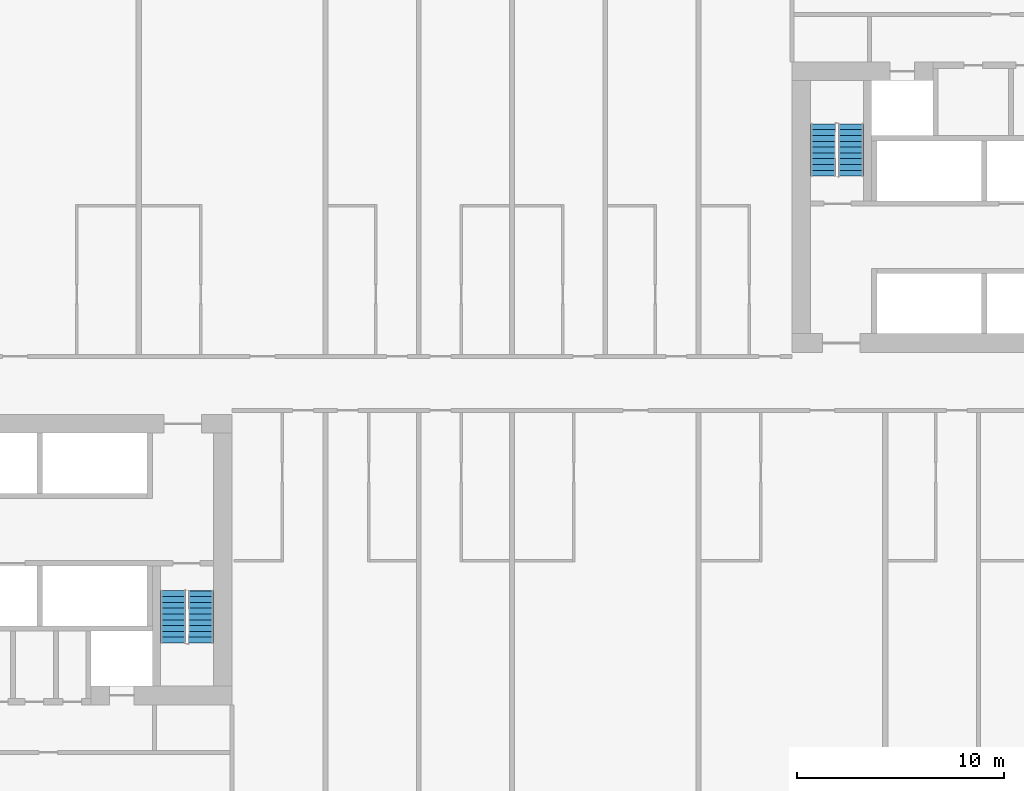
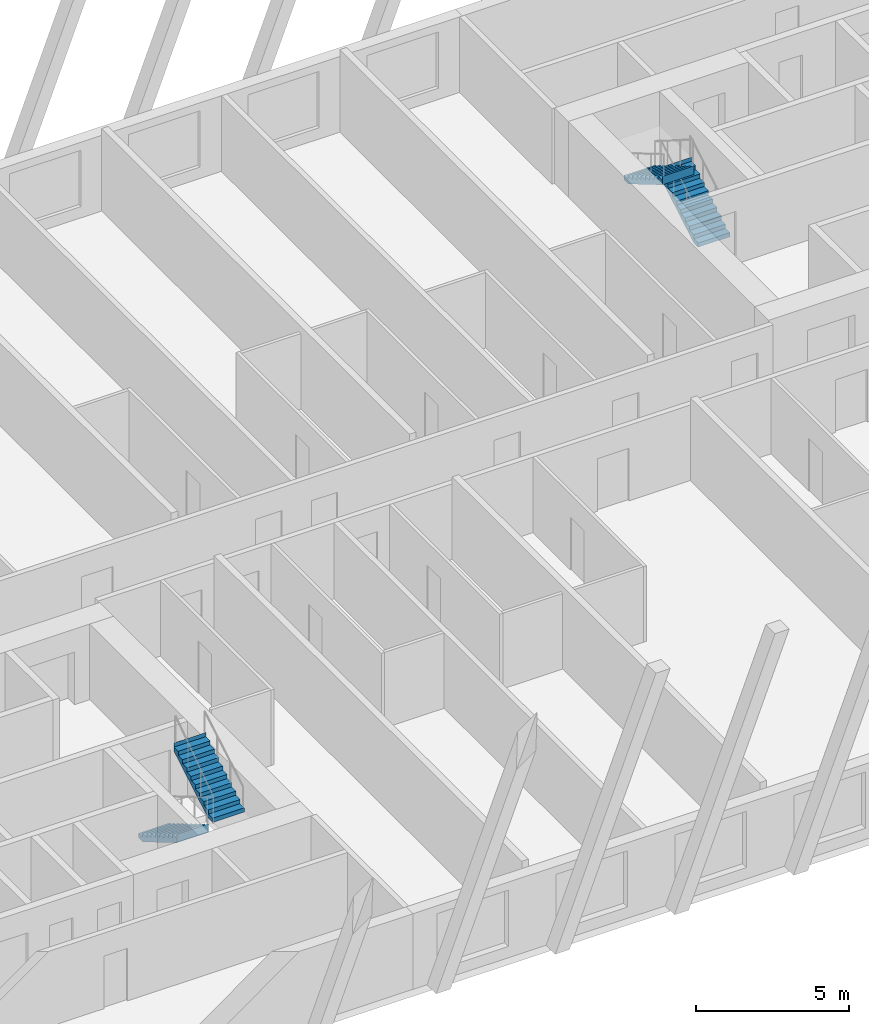
# One storey, part 10 of 13: 4 stair flights, 2 elements without a shape of their own.
"""IFC4 building model written with IfcOpenShell, lengths in metres."""

from ifc_helpers import new_model, si_unit, direction, frame, origin, place, context, subcontext, project, spatial, faceted_brep, material, type_object, element, aggregate, save


model = new_model("IFC4")

# Units and contexts
model_context = context("Model", 3, precision=1e-05, world=origin(), true_north=direction((0.0, 1.0)))
body_context = subcontext(model_context, "Body", "Model", "MODEL_VIEW")
ifc_project = project(units=[si_unit("LENGTHUNIT", "METRE"), si_unit("AREAUNIT", "SQUARE_METRE"), si_unit("VOLUMEUNIT", "CUBIC_METRE"), si_unit("PLANEANGLEUNIT", "RADIAN"), si_unit("MASSUNIT", "GRAM", prefix="KILO")], contexts=[model_context])

# Site, building, storey
site_placement = place(None, origin())
site = spatial("IfcSite", under=ifc_project, at=site_placement, CompositionType="ELEMENT")
building_placement = place(site_placement, origin())
building = spatial("IfcBuilding", under=site, at=building_placement, Name="Kajstack Hotel Tower", CompositionType="ELEMENT")
storey_placement = place(building_placement, frame((0.0, 0.0, 69.89990234375)))
storey = spatial("IfcBuildingStorey", under=building, at=storey_placement, Name="L12", CompositionType="ELEMENT", Elevation=69.89990234375)

# Stair, stair flights
ifc_material = material(Name="Concrete C40/50", Category="concrete")
stair_type = type_object("IfcStairType", Name="Exit stair 1200", PredefinedType="HALF_TURN_STAIR", material=ifc_material)
stair_1_placement = place(storey_placement, origin())
stair_1 = element("IfcStair", 1, at=stair_1_placement, inside=storey, type_object=stair_type, Name="L12 stair W2", PredefinedType="HALF_TURN_STAIR")
stair_flight_type = type_object("IfcStairFlightType", Name="Exit stair flight 1200", PredefinedType="STRAIGHT", material=ifc_material)
stair_flight_1_placement = place(storey_placement, frame((-16.35009765625, -10.0, 0.0), z_axis=(0.0, 0.0, 1.0), x_axis=(0.0, -1.0, 0.0)))
stair_flight_1 = element("IfcStairFlight", 2, at=stair_flight_1_placement, type_object=stair_flight_type, Name="W2 flight 1", NumberOfRisers=10, NumberOfTreads=9, PredefinedType="STRAIGHT", RiserHeight=0.165, TreadLength=0.28, context=body_context, shape_type="Brep", body=[
    faceted_brep([(0.295654296875, -0.60009765625, 0.0), (2.5205078125, -0.60009765625, 1.31103515625), (2.5205078125, -0.60009765625, 1.64990234375), (2.52001953125, -0.60009765625, 1.64990234375), (2.52001953125, -0.60009765625, 1.485107421875), (2.239990234375, -0.60009765625, 1.485107421875), (2.239990234375, -0.60009765625, 1.320068359375), (1.9599609375, -0.60009765625, 1.320068359375), (1.9599609375, -0.60009765625, 1.155029296875), (1.679931640625, -0.60009765625, 1.155029296875), (1.679931640625, -0.60009765625, 0.989990234375), (1.39990234375, -0.60009765625, 0.989990234375), (1.39990234375, -0.60009765625, 0.824951171875), (1.1201171875, -0.60009765625, 0.824951171875), (1.1201171875, -0.60009765625, 0.659912109375), (0.840087890625, -0.60009765625, 0.659912109375), (0.840087890625, -0.60009765625, 0.4951171875), (0.56005859375, -0.60009765625, 0.4951171875), (0.56005859375, -0.60009765625, 0.330078125), (0.280029296875, -0.60009765625, 0.330078125), (0.280029296875, -0.60009765625, 0.1650390625), (-0.00048828125, -0.60009765625, 0.1650390625), (-0.00048828125, -0.60009765625, 0.0), (-0.00048828125, 0.60009765625, 0.0), (-0.00048828125, 0.60009765625, 0.1650390625), (0.280029296875, 0.60009765625, 0.1650390625), (0.280029296875, 0.60009765625, 0.330078125), (0.56005859375, 0.60009765625, 0.330078125), (0.56005859375, 0.60009765625, 0.4951171875), (0.840087890625, 0.60009765625, 0.4951171875), (0.840087890625, 0.60009765625, 0.659912109375), (1.1201171875, 0.60009765625, 0.659912109375), (1.1201171875, 0.60009765625, 0.824951171875), (1.39990234375, 0.60009765625, 0.824951171875), (1.39990234375, 0.60009765625, 0.989990234375), (1.679931640625, 0.60009765625, 0.989990234375), (1.679931640625, 0.60009765625, 1.155029296875), (1.9599609375, 0.60009765625, 1.155029296875), (1.9599609375, 0.60009765625, 1.320068359375), (2.239990234375, 0.60009765625, 1.320068359375), (2.239990234375, 0.60009765625, 1.485107421875), (2.52001953125, 0.60009765625, 1.485107421875), (2.52001953125, 0.60009765625, 1.64990234375), (2.5205078125, 0.60009765625, 1.64990234375), (2.5205078125, 0.60009765625, 1.31103515625), (0.295654296875, 0.60009765625, 0.0), (-0.00048828125, -0.300048828125, 0.1650390625), (-0.00048828125, 0.0, 0.1650390625), (-0.00048828125, 0.300048828125, 0.1650390625), (-0.00048828125, 0.300048828125, 0.0), (-0.00048828125, 0.0, 0.0), (-0.00048828125, -0.300048828125, 0.0), (0.280029296875, -0.300048828125, 0.1650390625), (0.280029296875, 0.0, 0.1650390625), (0.280029296875, 0.300048828125, 0.1650390625), (0.280029296875, -0.300048828125, 0.330078125), (0.280029296875, 0.0, 0.330078125), (0.280029296875, 0.300048828125, 0.330078125), (0.56005859375, -0.300048828125, 0.330078125), (0.56005859375, 0.0, 0.330078125), (0.56005859375, 0.300048828125, 0.330078125), (0.56005859375, -0.300048828125, 0.4951171875), (0.56005859375, 0.0, 0.4951171875), (0.56005859375, 0.300048828125, 0.4951171875), (0.840087890625, -0.300048828125, 0.4951171875), (0.840087890625, 0.0, 0.4951171875), (0.840087890625, 0.300048828125, 0.4951171875), (0.840087890625, -0.300048828125, 0.659912109375), (0.840087890625, 0.0, 0.659912109375), (0.840087890625, 0.300048828125, 0.659912109375), (1.1201171875, -0.300048828125, 0.659912109375), (1.1201171875, 0.0, 0.659912109375), (1.1201171875, 0.300048828125, 0.659912109375), (1.1201171875, -0.300048828125, 0.824951171875), (1.1201171875, 0.0, 0.824951171875), (1.1201171875, 0.300048828125, 0.824951171875), (1.39990234375, -0.300048828125, 0.824951171875), (1.39990234375, 0.0, 0.824951171875), (1.39990234375, 0.300048828125, 0.824951171875), (1.39990234375, -0.300048828125, 0.989990234375), (1.39990234375, 0.0, 0.989990234375), (1.39990234375, 0.300048828125, 0.989990234375), (1.679931640625, -0.300048828125, 0.989990234375), (1.679931640625, 0.0, 0.989990234375), (1.679931640625, 0.300048828125, 0.989990234375), (1.679931640625, -0.300048828125, 1.155029296875), (1.679931640625, 0.0, 1.155029296875), (1.679931640625, 0.300048828125, 1.155029296875), (1.9599609375, -0.300048828125, 1.155029296875), (1.9599609375, 0.0, 1.155029296875), (1.9599609375, 0.300048828125, 1.155029296875), (1.9599609375, -0.300048828125, 1.320068359375), (1.9599609375, 0.0, 1.320068359375), (1.9599609375, 0.300048828125, 1.320068359375), (2.239990234375, -0.300048828125, 1.320068359375), (2.239990234375, 0.0, 1.320068359375), (2.239990234375, 0.300048828125, 1.320068359375), (2.239990234375, -0.300048828125, 1.485107421875), (2.239990234375, 0.0, 1.485107421875), (2.239990234375, 0.300048828125, 1.485107421875), (2.52001953125, -0.300048828125, 1.485107421875), (2.52001953125, 0.0, 1.485107421875), (2.52001953125, 0.300048828125, 1.485107421875), (2.52001953125, -0.300048828125, 1.64990234375), (2.52001953125, 0.0, 1.64990234375), (2.52001953125, 0.300048828125, 1.64990234375), (2.5205078125, -0.300048828125, 1.64990234375), (2.5205078125, 0.0, 1.64990234375), (2.5205078125, 0.300048828125, 1.64990234375), (2.5205078125, -0.300048828125, 1.31103515625), (2.5205078125, 0.0, 1.31103515625), (2.5205078125, 0.300048828125, 1.31103515625), (0.295654296875, -0.300048828125, 0.0), (0.295654296875, 0.0, 0.0), (0.295654296875, 0.300048828125, 0.0)], [[[0, 1, 2, 3, 4, 5, 6, 7, 8, 9, 10, 11, 12, 13, 14, 15, 16, 17, 18, 19, 20, 21, 22]], [[23, 24, 25, 26, 27, 28, 29, 30, 31, 32, 33, 34, 35, 36, 37, 38, 39, 40, 41, 42, 43, 44, 45]], [[21, 46, 47, 48, 24, 23, 49, 50, 51, 22]], [[20, 52, 53, 54, 25, 24, 48, 47, 46, 21]], [[19, 55, 56, 57, 26, 25, 54, 53, 52, 20]], [[18, 58, 59, 60, 27, 26, 57, 56, 55, 19]], [[17, 61, 62, 63, 28, 27, 60, 59, 58, 18]], [[16, 64, 65, 66, 29, 28, 63, 62, 61, 17]], [[15, 67, 68, 69, 30, 29, 66, 65, 64, 16]], [[14, 70, 71, 72, 31, 30, 69, 68, 67, 15]], [[13, 73, 74, 75, 32, 31, 72, 71, 70, 14]], [[12, 76, 77, 78, 33, 32, 75, 74, 73, 13]], [[11, 79, 80, 81, 34, 33, 78, 77, 76, 12]], [[10, 82, 83, 84, 35, 34, 81, 80, 79, 11]], [[9, 85, 86, 87, 36, 35, 84, 83, 82, 10]], [[8, 88, 89, 90, 37, 36, 87, 86, 85, 9]], [[7, 91, 92, 93, 38, 37, 90, 89, 88, 8]], [[6, 94, 95, 96, 39, 38, 93, 92, 91, 7]], [[5, 97, 98, 99, 40, 39, 96, 95, 94, 6]], [[4, 100, 101, 102, 41, 40, 99, 98, 97, 5]], [[3, 103, 104, 105, 42, 41, 102, 101, 100, 4]], [[2, 106, 107, 108, 43, 42, 105, 104, 103, 3]], [[1, 109, 110, 111, 44, 43, 108, 107, 106, 2]], [[0, 112, 113, 114, 45, 44, 111, 110, 109, 1]], [[22, 51, 50, 49, 23, 45, 114, 113, 112, 0]]]),
])
stair_flight_2_placement = place(storey_placement, frame((-15.0, -12.52001953125, 1.650146484375), z_axis=(0.0, 0.0, 1.0), x_axis=(0.0, 1.0, 0.0)))
stair_flight_2 = element("IfcStairFlight", 3, at=stair_flight_2_placement, type_object=stair_flight_type, Name="W2 flight 2", NumberOfRisers=10, NumberOfTreads=9, PredefinedType="STRAIGHT", RiserHeight=0.165, TreadLength=0.28, context=body_context, shape_type="Brep", body=[
    faceted_brep([(0.295654296875, -0.60009765625, 0.0), (2.5205078125, -0.60009765625, 1.31103515625), (2.5205078125, -0.60009765625, 1.64990234375), (2.52001953125, -0.60009765625, 1.64990234375), (2.52001953125, -0.60009765625, 1.485107421875), (2.239990234375, -0.60009765625, 1.485107421875), (2.239990234375, -0.60009765625, 1.320068359375), (1.9599609375, -0.60009765625, 1.320068359375), (1.9599609375, -0.60009765625, 1.155029296875), (1.679931640625, -0.60009765625, 1.155029296875), (1.679931640625, -0.60009765625, 0.989990234375), (1.39990234375, -0.60009765625, 0.989990234375), (1.39990234375, -0.60009765625, 0.824951171875), (1.1201171875, -0.60009765625, 0.824951171875), (1.1201171875, -0.60009765625, 0.659912109375), (0.840087890625, -0.60009765625, 0.659912109375), (0.840087890625, -0.60009765625, 0.4951171875), (0.56005859375, -0.60009765625, 0.4951171875), (0.56005859375, -0.60009765625, 0.330078125), (0.280029296875, -0.60009765625, 0.330078125), (0.280029296875, -0.60009765625, 0.1650390625), (-0.00048828125, -0.60009765625, 0.1650390625), (-0.00048828125, -0.60009765625, 0.0), (-0.00048828125, 0.60009765625, 0.0), (-0.00048828125, 0.60009765625, 0.1650390625), (0.280029296875, 0.60009765625, 0.1650390625), (0.280029296875, 0.60009765625, 0.330078125), (0.56005859375, 0.60009765625, 0.330078125), (0.56005859375, 0.60009765625, 0.4951171875), (0.840087890625, 0.60009765625, 0.4951171875), (0.840087890625, 0.60009765625, 0.659912109375), (1.1201171875, 0.60009765625, 0.659912109375), (1.1201171875, 0.60009765625, 0.824951171875), (1.39990234375, 0.60009765625, 0.824951171875), (1.39990234375, 0.60009765625, 0.989990234375), (1.679931640625, 0.60009765625, 0.989990234375), (1.679931640625, 0.60009765625, 1.155029296875), (1.9599609375, 0.60009765625, 1.155029296875), (1.9599609375, 0.60009765625, 1.320068359375), (2.239990234375, 0.60009765625, 1.320068359375), (2.239990234375, 0.60009765625, 1.485107421875), (2.52001953125, 0.60009765625, 1.485107421875), (2.52001953125, 0.60009765625, 1.64990234375), (2.5205078125, 0.60009765625, 1.64990234375), (2.5205078125, 0.60009765625, 1.31103515625), (0.295654296875, 0.60009765625, 0.0), (-0.00048828125, -0.300048828125, 0.1650390625), (-0.00048828125, 0.0, 0.1650390625), (-0.00048828125, 0.300048828125, 0.1650390625), (-0.00048828125, 0.300048828125, 0.0), (-0.00048828125, 0.0, 0.0), (-0.00048828125, -0.300048828125, 0.0), (0.280029296875, -0.300048828125, 0.1650390625), (0.280029296875, 0.0, 0.1650390625), (0.280029296875, 0.300048828125, 0.1650390625), (0.280029296875, -0.300048828125, 0.330078125), (0.280029296875, 0.0, 0.330078125), (0.280029296875, 0.300048828125, 0.330078125), (0.56005859375, -0.300048828125, 0.330078125), (0.56005859375, 0.0, 0.330078125), (0.56005859375, 0.300048828125, 0.330078125), (0.56005859375, -0.300048828125, 0.4951171875), (0.56005859375, 0.0, 0.4951171875), (0.56005859375, 0.300048828125, 0.4951171875), (0.840087890625, -0.300048828125, 0.4951171875), (0.840087890625, 0.0, 0.4951171875), (0.840087890625, 0.300048828125, 0.4951171875), (0.840087890625, -0.300048828125, 0.659912109375), (0.840087890625, 0.0, 0.659912109375), (0.840087890625, 0.300048828125, 0.659912109375), (1.1201171875, -0.300048828125, 0.659912109375), (1.1201171875, 0.0, 0.659912109375), (1.1201171875, 0.300048828125, 0.659912109375), (1.1201171875, -0.300048828125, 0.824951171875), (1.1201171875, 0.0, 0.824951171875), (1.1201171875, 0.300048828125, 0.824951171875), (1.39990234375, -0.300048828125, 0.824951171875), (1.39990234375, 0.0, 0.824951171875), (1.39990234375, 0.300048828125, 0.824951171875), (1.39990234375, -0.300048828125, 0.989990234375), (1.39990234375, 0.0, 0.989990234375), (1.39990234375, 0.300048828125, 0.989990234375), (1.679931640625, -0.300048828125, 0.989990234375), (1.679931640625, 0.0, 0.989990234375), (1.679931640625, 0.300048828125, 0.989990234375), (1.679931640625, -0.300048828125, 1.155029296875), (1.679931640625, 0.0, 1.155029296875), (1.679931640625, 0.300048828125, 1.155029296875), (1.9599609375, -0.300048828125, 1.155029296875), (1.9599609375, 0.0, 1.155029296875), (1.9599609375, 0.300048828125, 1.155029296875), (1.9599609375, -0.300048828125, 1.320068359375), (1.9599609375, 0.0, 1.320068359375), (1.9599609375, 0.300048828125, 1.320068359375), (2.239990234375, -0.300048828125, 1.320068359375), (2.239990234375, 0.0, 1.320068359375), (2.239990234375, 0.300048828125, 1.320068359375), (2.239990234375, -0.300048828125, 1.485107421875), (2.239990234375, 0.0, 1.485107421875), (2.239990234375, 0.300048828125, 1.485107421875), (2.52001953125, -0.300048828125, 1.485107421875), (2.52001953125, 0.0, 1.485107421875), (2.52001953125, 0.300048828125, 1.485107421875), (2.52001953125, -0.300048828125, 1.64990234375), (2.52001953125, 0.0, 1.64990234375), (2.52001953125, 0.300048828125, 1.64990234375), (2.5205078125, -0.300048828125, 1.64990234375), (2.5205078125, 0.0, 1.64990234375), (2.5205078125, 0.300048828125, 1.64990234375), (2.5205078125, -0.300048828125, 1.31103515625), (2.5205078125, 0.0, 1.31103515625), (2.5205078125, 0.300048828125, 1.31103515625), (0.295654296875, -0.300048828125, 0.0), (0.295654296875, 0.0, 0.0), (0.295654296875, 0.300048828125, 0.0)], [[[0, 1, 2, 3, 4, 5, 6, 7, 8, 9, 10, 11, 12, 13, 14, 15, 16, 17, 18, 19, 20, 21, 22]], [[23, 24, 25, 26, 27, 28, 29, 30, 31, 32, 33, 34, 35, 36, 37, 38, 39, 40, 41, 42, 43, 44, 45]], [[21, 46, 47, 48, 24, 23, 49, 50, 51, 22]], [[20, 52, 53, 54, 25, 24, 48, 47, 46, 21]], [[19, 55, 56, 57, 26, 25, 54, 53, 52, 20]], [[18, 58, 59, 60, 27, 26, 57, 56, 55, 19]], [[17, 61, 62, 63, 28, 27, 60, 59, 58, 18]], [[16, 64, 65, 66, 29, 28, 63, 62, 61, 17]], [[15, 67, 68, 69, 30, 29, 66, 65, 64, 16]], [[14, 70, 71, 72, 31, 30, 69, 68, 67, 15]], [[13, 73, 74, 75, 32, 31, 72, 71, 70, 14]], [[12, 76, 77, 78, 33, 32, 75, 74, 73, 13]], [[11, 79, 80, 81, 34, 33, 78, 77, 76, 12]], [[10, 82, 83, 84, 35, 34, 81, 80, 79, 11]], [[9, 85, 86, 87, 36, 35, 84, 83, 82, 10]], [[8, 88, 89, 90, 37, 36, 87, 86, 85, 9]], [[7, 91, 92, 93, 38, 37, 90, 89, 88, 8]], [[6, 94, 95, 96, 39, 38, 93, 92, 91, 7]], [[5, 97, 98, 99, 40, 39, 96, 95, 94, 6]], [[4, 100, 101, 102, 41, 40, 99, 98, 97, 5]], [[3, 103, 104, 105, 42, 41, 102, 101, 100, 4]], [[2, 106, 107, 108, 43, 42, 105, 104, 103, 3]], [[1, 109, 110, 111, 44, 43, 108, 107, 106, 2]], [[0, 112, 113, 114, 45, 44, 111, 110, 109, 1]], [[22, 51, 50, 49, 23, 45, 114, 113, 112, 0]]]),
])
aggregate(stair_1, [stair_flight_1, stair_flight_2])

stair_2_placement = place(storey_placement, origin())
stair_2 = element("IfcStair", 4, at=stair_2_placement, inside=storey, type_object=stair_type, Name="L12 stair E2", PredefinedType="HALF_TURN_STAIR")
stair_flight_3_placement = place(storey_placement, frame((16.35009765625, 10.0, 0.0), z_axis=(0.0, 0.0, 1.0), x_axis=(0.0, 1.0, 0.0)))
stair_flight_3 = element("IfcStairFlight", 5, at=stair_flight_3_placement, type_object=stair_flight_type, Name="E2 flight 1", NumberOfRisers=10, NumberOfTreads=9, PredefinedType="STRAIGHT", RiserHeight=0.165, TreadLength=0.28, context=body_context, shape_type="Brep", body=[
    faceted_brep([(0.295654296875, -0.60009765625, 0.0), (2.5205078125, -0.60009765625, 1.31103515625), (2.5205078125, -0.60009765625, 1.64990234375), (2.52001953125, -0.60009765625, 1.64990234375), (2.52001953125, -0.60009765625, 1.485107421875), (2.239990234375, -0.60009765625, 1.485107421875), (2.239990234375, -0.60009765625, 1.320068359375), (1.9599609375, -0.60009765625, 1.320068359375), (1.9599609375, -0.60009765625, 1.155029296875), (1.679931640625, -0.60009765625, 1.155029296875), (1.679931640625, -0.60009765625, 0.989990234375), (1.39990234375, -0.60009765625, 0.989990234375), (1.39990234375, -0.60009765625, 0.824951171875), (1.1201171875, -0.60009765625, 0.824951171875), (1.1201171875, -0.60009765625, 0.659912109375), (0.840087890625, -0.60009765625, 0.659912109375), (0.840087890625, -0.60009765625, 0.4951171875), (0.56005859375, -0.60009765625, 0.4951171875), (0.56005859375, -0.60009765625, 0.330078125), (0.280029296875, -0.60009765625, 0.330078125), (0.280029296875, -0.60009765625, 0.1650390625), (-0.00048828125, -0.60009765625, 0.1650390625), (-0.00048828125, -0.60009765625, 0.0), (-0.00048828125, 0.60009765625, 0.0), (-0.00048828125, 0.60009765625, 0.1650390625), (0.280029296875, 0.60009765625, 0.1650390625), (0.280029296875, 0.60009765625, 0.330078125), (0.56005859375, 0.60009765625, 0.330078125), (0.56005859375, 0.60009765625, 0.4951171875), (0.840087890625, 0.60009765625, 0.4951171875), (0.840087890625, 0.60009765625, 0.659912109375), (1.1201171875, 0.60009765625, 0.659912109375), (1.1201171875, 0.60009765625, 0.824951171875), (1.39990234375, 0.60009765625, 0.824951171875), (1.39990234375, 0.60009765625, 0.989990234375), (1.679931640625, 0.60009765625, 0.989990234375), (1.679931640625, 0.60009765625, 1.155029296875), (1.9599609375, 0.60009765625, 1.155029296875), (1.9599609375, 0.60009765625, 1.320068359375), (2.239990234375, 0.60009765625, 1.320068359375), (2.239990234375, 0.60009765625, 1.485107421875), (2.52001953125, 0.60009765625, 1.485107421875), (2.52001953125, 0.60009765625, 1.64990234375), (2.5205078125, 0.60009765625, 1.64990234375), (2.5205078125, 0.60009765625, 1.31103515625), (0.295654296875, 0.60009765625, 0.0), (-0.00048828125, -0.300048828125, 0.1650390625), (-0.00048828125, 0.0, 0.1650390625), (-0.00048828125, 0.300048828125, 0.1650390625), (-0.00048828125, 0.300048828125, 0.0), (-0.00048828125, 0.0, 0.0), (-0.00048828125, -0.300048828125, 0.0), (0.280029296875, -0.300048828125, 0.1650390625), (0.280029296875, 0.0, 0.1650390625), (0.280029296875, 0.300048828125, 0.1650390625), (0.280029296875, -0.300048828125, 0.330078125), (0.280029296875, 0.0, 0.330078125), (0.280029296875, 0.300048828125, 0.330078125), (0.56005859375, -0.300048828125, 0.330078125), (0.56005859375, 0.0, 0.330078125), (0.56005859375, 0.300048828125, 0.330078125), (0.56005859375, -0.300048828125, 0.4951171875), (0.56005859375, 0.0, 0.4951171875), (0.56005859375, 0.300048828125, 0.4951171875), (0.840087890625, -0.300048828125, 0.4951171875), (0.840087890625, 0.0, 0.4951171875), (0.840087890625, 0.300048828125, 0.4951171875), (0.840087890625, -0.300048828125, 0.659912109375), (0.840087890625, 0.0, 0.659912109375), (0.840087890625, 0.300048828125, 0.659912109375), (1.1201171875, -0.300048828125, 0.659912109375), (1.1201171875, 0.0, 0.659912109375), (1.1201171875, 0.300048828125, 0.659912109375), (1.1201171875, -0.300048828125, 0.824951171875), (1.1201171875, 0.0, 0.824951171875), (1.1201171875, 0.300048828125, 0.824951171875), (1.39990234375, -0.300048828125, 0.824951171875), (1.39990234375, 0.0, 0.824951171875), (1.39990234375, 0.300048828125, 0.824951171875), (1.39990234375, -0.300048828125, 0.989990234375), (1.39990234375, 0.0, 0.989990234375), (1.39990234375, 0.300048828125, 0.989990234375), (1.679931640625, -0.300048828125, 0.989990234375), (1.679931640625, 0.0, 0.989990234375), (1.679931640625, 0.300048828125, 0.989990234375), (1.679931640625, -0.300048828125, 1.155029296875), (1.679931640625, 0.0, 1.155029296875), (1.679931640625, 0.300048828125, 1.155029296875), (1.9599609375, -0.300048828125, 1.155029296875), (1.9599609375, 0.0, 1.155029296875), (1.9599609375, 0.300048828125, 1.155029296875), (1.9599609375, -0.300048828125, 1.320068359375), (1.9599609375, 0.0, 1.320068359375), (1.9599609375, 0.300048828125, 1.320068359375), (2.239990234375, -0.300048828125, 1.320068359375), (2.239990234375, 0.0, 1.320068359375), (2.239990234375, 0.300048828125, 1.320068359375), (2.239990234375, -0.300048828125, 1.485107421875), (2.239990234375, 0.0, 1.485107421875), (2.239990234375, 0.300048828125, 1.485107421875), (2.52001953125, -0.300048828125, 1.485107421875), (2.52001953125, 0.0, 1.485107421875), (2.52001953125, 0.300048828125, 1.485107421875), (2.52001953125, -0.300048828125, 1.64990234375), (2.52001953125, 0.0, 1.64990234375), (2.52001953125, 0.300048828125, 1.64990234375), (2.5205078125, -0.300048828125, 1.64990234375), (2.5205078125, 0.0, 1.64990234375), (2.5205078125, 0.300048828125, 1.64990234375), (2.5205078125, -0.300048828125, 1.31103515625), (2.5205078125, 0.0, 1.31103515625), (2.5205078125, 0.300048828125, 1.31103515625), (0.295654296875, -0.300048828125, 0.0), (0.295654296875, 0.0, 0.0), (0.295654296875, 0.300048828125, 0.0)], [[[0, 1, 2, 3, 4, 5, 6, 7, 8, 9, 10, 11, 12, 13, 14, 15, 16, 17, 18, 19, 20, 21, 22]], [[23, 24, 25, 26, 27, 28, 29, 30, 31, 32, 33, 34, 35, 36, 37, 38, 39, 40, 41, 42, 43, 44, 45]], [[21, 46, 47, 48, 24, 23, 49, 50, 51, 22]], [[20, 52, 53, 54, 25, 24, 48, 47, 46, 21]], [[19, 55, 56, 57, 26, 25, 54, 53, 52, 20]], [[18, 58, 59, 60, 27, 26, 57, 56, 55, 19]], [[17, 61, 62, 63, 28, 27, 60, 59, 58, 18]], [[16, 64, 65, 66, 29, 28, 63, 62, 61, 17]], [[15, 67, 68, 69, 30, 29, 66, 65, 64, 16]], [[14, 70, 71, 72, 31, 30, 69, 68, 67, 15]], [[13, 73, 74, 75, 32, 31, 72, 71, 70, 14]], [[12, 76, 77, 78, 33, 32, 75, 74, 73, 13]], [[11, 79, 80, 81, 34, 33, 78, 77, 76, 12]], [[10, 82, 83, 84, 35, 34, 81, 80, 79, 11]], [[9, 85, 86, 87, 36, 35, 84, 83, 82, 10]], [[8, 88, 89, 90, 37, 36, 87, 86, 85, 9]], [[7, 91, 92, 93, 38, 37, 90, 89, 88, 8]], [[6, 94, 95, 96, 39, 38, 93, 92, 91, 7]], [[5, 97, 98, 99, 40, 39, 96, 95, 94, 6]], [[4, 100, 101, 102, 41, 40, 99, 98, 97, 5]], [[3, 103, 104, 105, 42, 41, 102, 101, 100, 4]], [[2, 106, 107, 108, 43, 42, 105, 104, 103, 3]], [[1, 109, 110, 111, 44, 43, 108, 107, 106, 2]], [[0, 112, 113, 114, 45, 44, 111, 110, 109, 1]], [[22, 51, 50, 49, 23, 45, 114, 113, 112, 0]]]),
])
stair_flight_4_placement = place(storey_placement, frame((15.0, 12.52001953125, 1.650146484375), z_axis=(0.0, 0.0, 1.0), x_axis=(0.0, -1.0, 0.0)))
stair_flight_4 = element("IfcStairFlight", 6, at=stair_flight_4_placement, type_object=stair_flight_type, Name="E2 flight 2", NumberOfRisers=10, NumberOfTreads=9, PredefinedType="STRAIGHT", RiserHeight=0.165, TreadLength=0.28, context=body_context, shape_type="Brep", body=[
    faceted_brep([(0.295654296875, -0.60009765625, 0.0), (2.5205078125, -0.60009765625, 1.31103515625), (2.5205078125, -0.60009765625, 1.64990234375), (2.52001953125, -0.60009765625, 1.64990234375), (2.52001953125, -0.60009765625, 1.485107421875), (2.239990234375, -0.60009765625, 1.485107421875), (2.239990234375, -0.60009765625, 1.320068359375), (1.9599609375, -0.60009765625, 1.320068359375), (1.9599609375, -0.60009765625, 1.155029296875), (1.679931640625, -0.60009765625, 1.155029296875), (1.679931640625, -0.60009765625, 0.989990234375), (1.39990234375, -0.60009765625, 0.989990234375), (1.39990234375, -0.60009765625, 0.824951171875), (1.1201171875, -0.60009765625, 0.824951171875), (1.1201171875, -0.60009765625, 0.659912109375), (0.840087890625, -0.60009765625, 0.659912109375), (0.840087890625, -0.60009765625, 0.4951171875), (0.56005859375, -0.60009765625, 0.4951171875), (0.56005859375, -0.60009765625, 0.330078125), (0.280029296875, -0.60009765625, 0.330078125), (0.280029296875, -0.60009765625, 0.1650390625), (-0.00048828125, -0.60009765625, 0.1650390625), (-0.00048828125, -0.60009765625, 0.0), (-0.00048828125, 0.60009765625, 0.0), (-0.00048828125, 0.60009765625, 0.1650390625), (0.280029296875, 0.60009765625, 0.1650390625), (0.280029296875, 0.60009765625, 0.330078125), (0.56005859375, 0.60009765625, 0.330078125), (0.56005859375, 0.60009765625, 0.4951171875), (0.840087890625, 0.60009765625, 0.4951171875), (0.840087890625, 0.60009765625, 0.659912109375), (1.1201171875, 0.60009765625, 0.659912109375), (1.1201171875, 0.60009765625, 0.824951171875), (1.39990234375, 0.60009765625, 0.824951171875), (1.39990234375, 0.60009765625, 0.989990234375), (1.679931640625, 0.60009765625, 0.989990234375), (1.679931640625, 0.60009765625, 1.155029296875), (1.9599609375, 0.60009765625, 1.155029296875), (1.9599609375, 0.60009765625, 1.320068359375), (2.239990234375, 0.60009765625, 1.320068359375), (2.239990234375, 0.60009765625, 1.485107421875), (2.52001953125, 0.60009765625, 1.485107421875), (2.52001953125, 0.60009765625, 1.64990234375), (2.5205078125, 0.60009765625, 1.64990234375), (2.5205078125, 0.60009765625, 1.31103515625), (0.295654296875, 0.60009765625, 0.0), (-0.00048828125, -0.300048828125, 0.1650390625), (-0.00048828125, 0.0, 0.1650390625), (-0.00048828125, 0.300048828125, 0.1650390625), (-0.00048828125, 0.300048828125, 0.0), (-0.00048828125, 0.0, 0.0), (-0.00048828125, -0.300048828125, 0.0), (0.280029296875, -0.300048828125, 0.1650390625), (0.280029296875, 0.0, 0.1650390625), (0.280029296875, 0.300048828125, 0.1650390625), (0.280029296875, -0.300048828125, 0.330078125), (0.280029296875, 0.0, 0.330078125), (0.280029296875, 0.300048828125, 0.330078125), (0.56005859375, -0.300048828125, 0.330078125), (0.56005859375, 0.0, 0.330078125), (0.56005859375, 0.300048828125, 0.330078125), (0.56005859375, -0.300048828125, 0.4951171875), (0.56005859375, 0.0, 0.4951171875), (0.56005859375, 0.300048828125, 0.4951171875), (0.840087890625, -0.300048828125, 0.4951171875), (0.840087890625, 0.0, 0.4951171875), (0.840087890625, 0.300048828125, 0.4951171875), (0.840087890625, -0.300048828125, 0.659912109375), (0.840087890625, 0.0, 0.659912109375), (0.840087890625, 0.300048828125, 0.659912109375), (1.1201171875, -0.300048828125, 0.659912109375), (1.1201171875, 0.0, 0.659912109375), (1.1201171875, 0.300048828125, 0.659912109375), (1.1201171875, -0.300048828125, 0.824951171875), (1.1201171875, 0.0, 0.824951171875), (1.1201171875, 0.300048828125, 0.824951171875), (1.39990234375, -0.300048828125, 0.824951171875), (1.39990234375, 0.0, 0.824951171875), (1.39990234375, 0.300048828125, 0.824951171875), (1.39990234375, -0.300048828125, 0.989990234375), (1.39990234375, 0.0, 0.989990234375), (1.39990234375, 0.300048828125, 0.989990234375), (1.679931640625, -0.300048828125, 0.989990234375), (1.679931640625, 0.0, 0.989990234375), (1.679931640625, 0.300048828125, 0.989990234375), (1.679931640625, -0.300048828125, 1.155029296875), (1.679931640625, 0.0, 1.155029296875), (1.679931640625, 0.300048828125, 1.155029296875), (1.9599609375, -0.300048828125, 1.155029296875), (1.9599609375, 0.0, 1.155029296875), (1.9599609375, 0.300048828125, 1.155029296875), (1.9599609375, -0.300048828125, 1.320068359375), (1.9599609375, 0.0, 1.320068359375), (1.9599609375, 0.300048828125, 1.320068359375), (2.239990234375, -0.300048828125, 1.320068359375), (2.239990234375, 0.0, 1.320068359375), (2.239990234375, 0.300048828125, 1.320068359375), (2.239990234375, -0.300048828125, 1.485107421875), (2.239990234375, 0.0, 1.485107421875), (2.239990234375, 0.300048828125, 1.485107421875), (2.52001953125, -0.300048828125, 1.485107421875), (2.52001953125, 0.0, 1.485107421875), (2.52001953125, 0.300048828125, 1.485107421875), (2.52001953125, -0.300048828125, 1.64990234375), (2.52001953125, 0.0, 1.64990234375), (2.52001953125, 0.300048828125, 1.64990234375), (2.5205078125, -0.300048828125, 1.64990234375), (2.5205078125, 0.0, 1.64990234375), (2.5205078125, 0.300048828125, 1.64990234375), (2.5205078125, -0.300048828125, 1.31103515625), (2.5205078125, 0.0, 1.31103515625), (2.5205078125, 0.300048828125, 1.31103515625), (0.295654296875, -0.300048828125, 0.0), (0.295654296875, 0.0, 0.0), (0.295654296875, 0.300048828125, 0.0)], [[[0, 1, 2, 3, 4, 5, 6, 7, 8, 9, 10, 11, 12, 13, 14, 15, 16, 17, 18, 19, 20, 21, 22]], [[23, 24, 25, 26, 27, 28, 29, 30, 31, 32, 33, 34, 35, 36, 37, 38, 39, 40, 41, 42, 43, 44, 45]], [[21, 46, 47, 48, 24, 23, 49, 50, 51, 22]], [[20, 52, 53, 54, 25, 24, 48, 47, 46, 21]], [[19, 55, 56, 57, 26, 25, 54, 53, 52, 20]], [[18, 58, 59, 60, 27, 26, 57, 56, 55, 19]], [[17, 61, 62, 63, 28, 27, 60, 59, 58, 18]], [[16, 64, 65, 66, 29, 28, 63, 62, 61, 17]], [[15, 67, 68, 69, 30, 29, 66, 65, 64, 16]], [[14, 70, 71, 72, 31, 30, 69, 68, 67, 15]], [[13, 73, 74, 75, 32, 31, 72, 71, 70, 14]], [[12, 76, 77, 78, 33, 32, 75, 74, 73, 13]], [[11, 79, 80, 81, 34, 33, 78, 77, 76, 12]], [[10, 82, 83, 84, 35, 34, 81, 80, 79, 11]], [[9, 85, 86, 87, 36, 35, 84, 83, 82, 10]], [[8, 88, 89, 90, 37, 36, 87, 86, 85, 9]], [[7, 91, 92, 93, 38, 37, 90, 89, 88, 8]], [[6, 94, 95, 96, 39, 38, 93, 92, 91, 7]], [[5, 97, 98, 99, 40, 39, 96, 95, 94, 6]], [[4, 100, 101, 102, 41, 40, 99, 98, 97, 5]], [[3, 103, 104, 105, 42, 41, 102, 101, 100, 4]], [[2, 106, 107, 108, 43, 42, 105, 104, 103, 3]], [[1, 109, 110, 111, 44, 43, 108, 107, 106, 2]], [[0, 112, 113, 114, 45, 44, 111, 110, 109, 1]], [[22, 51, 50, 49, 23, 45, 114, 113, 112, 0]]]),
])
aggregate(stair_2, [stair_flight_3, stair_flight_4])

save(model, "model.ifc")
